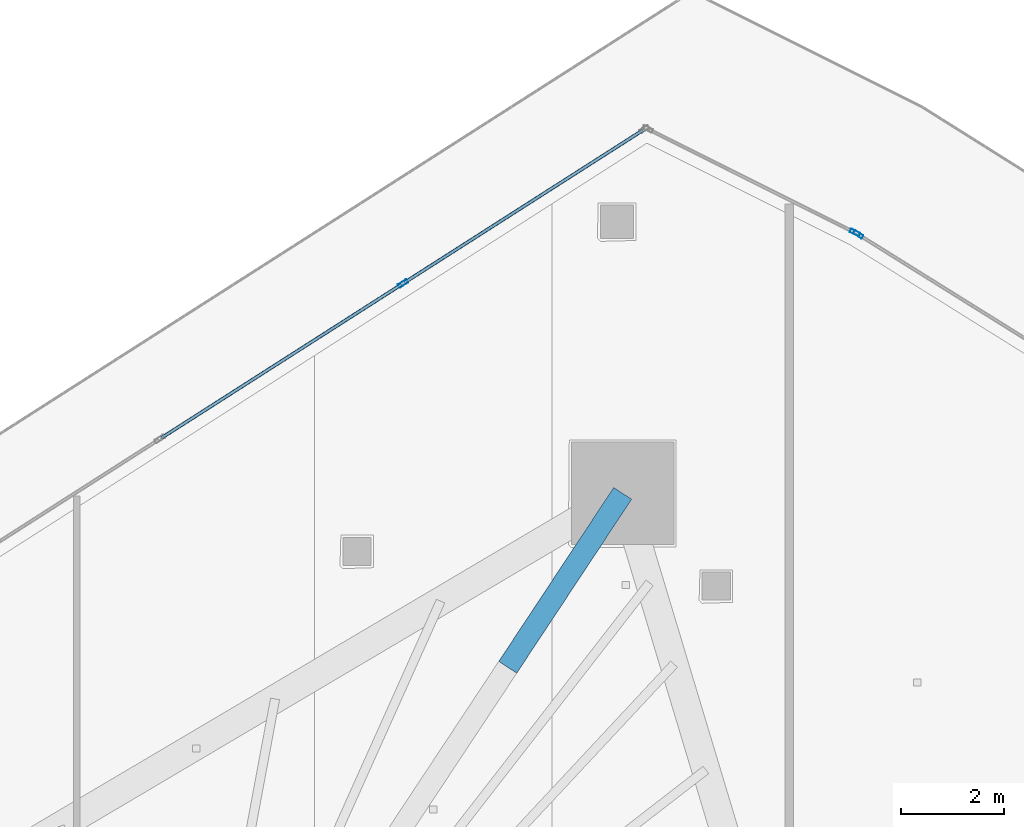
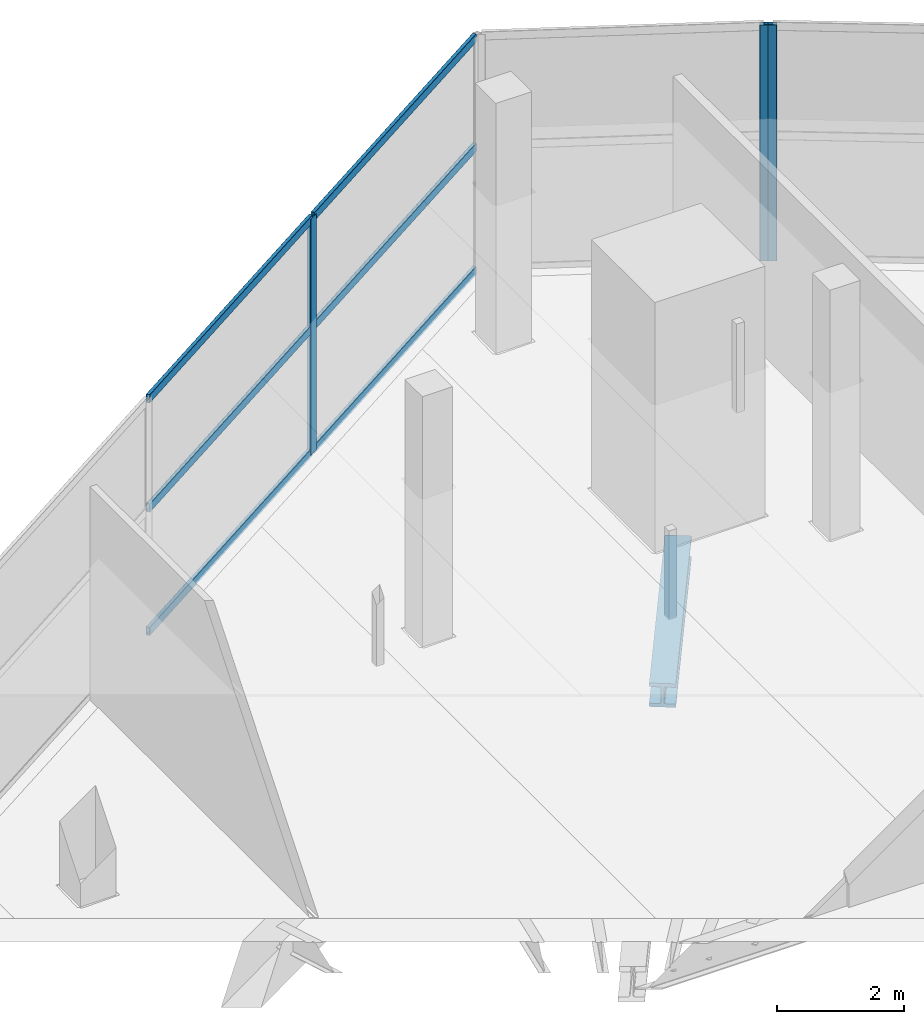
# One storey, part 20 of 36: 10 members, 3 elements without a shape of their own.
"""IFC4 building model written with IfcOpenShell, lengths in metres."""

from ifc_helpers import new_model, si_unit, direction, frame, origin, origin_2d, place, context, subcontext, project, spatial, hollow_rectangle, i_section, extrude, material, layer, layer_set, material_profile, profile_set, type_object, element, aggregate, save


model = new_model("IFC4")

# Units and contexts
model_context = context("Model", 3, precision=1e-05, world=origin(), true_north=direction((0.0, 1.0)))
body_context = subcontext(model_context, "Body", "Model", "MODEL_VIEW")
ifc_project = project(units=[si_unit("LENGTHUNIT", "METRE"), si_unit("AREAUNIT", "SQUARE_METRE"), si_unit("VOLUMEUNIT", "CUBIC_METRE"), si_unit("PLANEANGLEUNIT", "RADIAN"), si_unit("MASSUNIT", "GRAM", prefix="KILO")], contexts=[model_context])

# Site, building, storey
site_placement = place(None, origin())
site = spatial("IfcSite", under=ifc_project, at=site_placement, CompositionType="ELEMENT")
building_placement = place(site_placement, origin())
building = spatial("IfcBuilding", under=site, at=building_placement, Name="Qorvath Tower", CompositionType="ELEMENT")
storey_placement = place(building_placement, frame((0.0, 0.0, 180.0)))
storey = spatial("IfcBuildingStorey", under=building, at=storey_placement, Name="L41", CompositionType="ELEMENT", Elevation=180.0)

# Curtain wall, member
ifc_material_1 = material(Name="Anodised aluminium and triple low-E glass", Category="aluminium")
ifc_layer = layer(ifc_material_1, 0.179931640625)
ifc_layer_set = layer_set([ifc_layer], Name="CW-SYS-5")
curtain_wall_type = type_object("IfcCurtainWallType", Name="CW-SYS-5", PredefinedType="NOTDEFINED", material=ifc_layer_set)
curtain_wall_1_placement = place(storey_placement, origin())
curtain_wall_1 = element("IfcCurtainWall", 1, at=curtain_wall_1_placement, inside=storey, type_object=curtain_wall_type, Name="Curtain Wall CW-5 CW-T-L41-14.1", PredefinedType="NOTDEFINED")
ifc_material_2 = material(Name="Anodised aluminium 6063-T6", Category="aluminium")
ifc_material_profile_1 = material_profile(ifc_material_2, hollow_rectangle(XDim=0.074951171875, YDim=0.199951171875, WallThickness=0.00390625, InnerFilletRadius=0.00390625, OuterFilletRadius=0.008056640625, at=origin_2d()), Name="CWM 200x75")
ifc_profile_set_1 = profile_set([ifc_material_profile_1], Name="Anodised aluminium 6063-T6")
member_type_1 = type_object("IfcMemberType", Name="CWM-200", PredefinedType="MULLION", material=ifc_profile_set_1)
member_1_placement = place(storey_placement, frame((-12.2763671875, 26.679443359375, 0.0), z_axis=(0.0, 0.0, 1.0), x_axis=(-0.529309919685, -0.848428552633, 0.0)))
member_1 = element("IfcMember", 2, at=member_1_placement, type_object=member_type_1, Name="CW-5 mullion 3", PredefinedType="MULLION", context=body_context, shape_type="SweptSolid", body=[
    extrude(hollow_rectangle(XDim=0.074951171875, YDim=0.199951171875, WallThickness=0.00390625, InnerFilletRadius=0.00390625, OuterFilletRadius=0.008056640625, at=origin_2d()), origin(), (0.0, 0.0, 1.0), 4.530029296875),
])
aggregate(curtain_wall_1, [member_1])

curtain_wall_2_placement = place(storey_placement, origin())
curtain_wall_2 = element("IfcCurtainWall", 3, at=curtain_wall_2_placement, inside=storey, type_object=curtain_wall_type, Name="Curtain Wall CW-5 CW-T-L41-15.1", PredefinedType="NOTDEFINED")
member_2_placement = place(storey_placement, frame((-12.341552734375, 26.716064453125, 0.0), z_axis=(0.0, 0.0, 1.0), x_axis=(-0.447187465635, -0.894440255455, 0.0)))
member_2 = element("IfcMember", 4, at=member_2_placement, type_object=member_type_1, Name="CW-5 mullion 1", PredefinedType="MULLION", context=body_context, shape_type="SweptSolid", body=[
    extrude(hollow_rectangle(XDim=0.074951171875, YDim=0.199951171875, WallThickness=0.00390625, InnerFilletRadius=0.00390625, OuterFilletRadius=0.008056640625, at=origin_2d()), origin(), (0.0, 0.0, 1.0), 4.530029296875),
])
aggregate(curtain_wall_2, [member_2])

# Curtain wall, members
curtain_wall_3_placement = place(storey_placement, origin())
curtain_wall_3 = element("IfcCurtainWall", 5, at=curtain_wall_3_placement, inside=storey, type_object=curtain_wall_type, Name="Curtain Wall CW-5 CW-T-L41-16.1", PredefinedType="NOTDEFINED")
member_3_placement = place(storey_placement, frame((-21.1591796875, 25.72119140625, 0.0), z_axis=(0.0, 0.0, 1.0), x_axis=(0.538544146891, -0.842597295183, 0.0)))
member_3 = element("IfcMember", 6, at=member_3_placement, type_object=member_type_1, Name="CW-5 mullion 2", PredefinedType="MULLION", context=body_context, shape_type="SweptSolid", body=[
    extrude(hollow_rectangle(XDim=0.074951171875, YDim=0.199951171875, WallThickness=0.00390625, InnerFilletRadius=0.00390625, OuterFilletRadius=0.008056640625, at=origin_2d()), origin(), (0.0, 0.0, 1.0), 4.530029296875),
])
ifc_material_3 = material(Name="Anodised aluminium 6063-T6", Category="aluminium")
ifc_material_profile_2 = material_profile(ifc_material_3, hollow_rectangle(XDim=0.06494140625, YDim=0.159912109375, WallThickness=0.00341796875, InnerFilletRadius=0.00341796875, OuterFilletRadius=0.007080078125, at=origin_2d()), Name="CWT 160x65")
ifc_profile_set_2 = profile_set([ifc_material_profile_2], Name="Anodised aluminium 6063-T6")
member_type_2 = type_object("IfcMemberType", Name="CWT-160", PredefinedType="USERDEFINED", material=ifc_profile_set_2)
member_4_placement = place(storey_placement, frame((-16.47900390625, 28.71240234375, 0.032470703125), z_axis=(-0.842617614199, -0.538512354771, 0.0), x_axis=(0.538512354771, -0.842617614199, 0.0)))
member_4 = element("IfcMember", 7, at=member_4_placement, type_object=member_type_2, Name="CW-5 transom 1.1", ObjectType="TRANSOM", PredefinedType="USERDEFINED", context=body_context, shape_type="SweptSolid", body=[
    extrude(hollow_rectangle(XDim=0.06494140625, YDim=0.159912109375, WallThickness=0.00341796875, InnerFilletRadius=0.00341796875, OuterFilletRadius=0.007080078125, at=origin_2d()), origin(), (0.0, 0.0, 1.0), 5.516845703125),
])
member_5_placement = place(storey_placement, frame((-16.47900390625, 28.71240234375, 2.39990234375), z_axis=(-0.842617614199, -0.538512354771, 0.0), x_axis=(0.538512354771, -0.842617614199, 0.0)))
member_5 = element("IfcMember", 8, at=member_5_placement, type_object=member_type_2, Name="CW-5 transom 1.2", ObjectType="TRANSOM", PredefinedType="USERDEFINED", context=body_context, shape_type="SweptSolid", body=[
    extrude(hollow_rectangle(XDim=0.06494140625, YDim=0.159912109375, WallThickness=0.00341796875, InnerFilletRadius=0.00341796875, OuterFilletRadius=0.007080078125, at=origin_2d()), origin(), (0.0, 0.0, 1.0), 5.516845703125),
])
member_6_placement = place(storey_placement, frame((-16.47900390625, 28.71240234375, 4.49755859375), z_axis=(-0.842617614199, -0.538512354771, 0.0), x_axis=(0.538512354771, -0.842617614199, 0.0)))
member_6 = element("IfcMember", 9, at=member_6_placement, type_object=member_type_2, Name="CW-5 transom 1.3", ObjectType="TRANSOM", PredefinedType="USERDEFINED", context=body_context, shape_type="SweptSolid", body=[
    extrude(hollow_rectangle(XDim=0.06494140625, YDim=0.159912109375, WallThickness=0.00341796875, InnerFilletRadius=0.00341796875, OuterFilletRadius=0.007080078125, at=origin_2d()), origin(), (0.0, 0.0, 1.0), 5.516845703125),
])
member_7_placement = place(storey_placement, frame((-21.19091796875, 25.700927734375, 0.032470703125), z_axis=(-0.842606508806, -0.538529731137, 0.0), x_axis=(0.538529731137, -0.842606508806, 0.0)))
member_7 = element("IfcMember", 10, at=member_7_placement, type_object=member_type_2, Name="CW-5 transom 2.1", ObjectType="TRANSOM", PredefinedType="USERDEFINED", context=body_context, shape_type="SweptSolid", body=[
    extrude(hollow_rectangle(XDim=0.06494140625, YDim=0.159912109375, WallThickness=0.00341796875, InnerFilletRadius=0.00341796875, OuterFilletRadius=0.007080078125, at=origin_2d()), origin(), (0.0, 0.0, 1.0), 5.554443359375),
])
member_8_placement = place(storey_placement, frame((-21.19091796875, 25.700927734375, 2.39990234375), z_axis=(-0.842606508806, -0.538529731137, 0.0), x_axis=(0.538529731137, -0.842606508806, 0.0)))
member_8 = element("IfcMember", 11, at=member_8_placement, type_object=member_type_2, Name="CW-5 transom 2.2", ObjectType="TRANSOM", PredefinedType="USERDEFINED", context=body_context, shape_type="SweptSolid", body=[
    extrude(hollow_rectangle(XDim=0.06494140625, YDim=0.159912109375, WallThickness=0.00341796875, InnerFilletRadius=0.00341796875, OuterFilletRadius=0.007080078125, at=origin_2d()), origin(), (0.0, 0.0, 1.0), 5.554443359375),
])
member_9_placement = place(storey_placement, frame((-21.19091796875, 25.700927734375, 4.49755859375), z_axis=(-0.842606508806, -0.538529731137, 0.0), x_axis=(0.538529731137, -0.842606508806, 0.0)))
member_9 = element("IfcMember", 12, at=member_9_placement, type_object=member_type_2, Name="CW-5 transom 2.3", ObjectType="TRANSOM", PredefinedType="USERDEFINED", context=body_context, shape_type="SweptSolid", body=[
    extrude(hollow_rectangle(XDim=0.06494140625, YDim=0.159912109375, WallThickness=0.00341796875, InnerFilletRadius=0.00341796875, OuterFilletRadius=0.007080078125, at=origin_2d()), origin(), (0.0, 0.0, 1.0), 5.554443359375),
])
aggregate(curtain_wall_3, [member_3, member_4, member_5, member_6, member_7, member_8, member_9])

# Member
ifc_material_4 = material(Name="Steel ASTM A913 Grade 65", Category="steel")
ifc_material_profile_3 = material_profile(ifc_material_4, i_section(OverallWidth=0.4189453125, OverallDepth=0.455078125, WebThickness=0.0419921875, FlangeThickness=0.067626953125, FilletRadius=0.02490234375, at=origin_2d()), Name="W14x370")
ifc_profile_set_3 = profile_set([ifc_material_profile_3], Name="Steel ASTM A913 Grade 65")
member_type_3 = type_object("IfcMemberType", Name="MEM-OT2", PredefinedType="CHORD", material=ifc_profile_set_3)
member_10_placement = place(storey_placement, frame((-19.114501953125, 18.234619140625, -0.85009765625), z_axis=(0.551496030523, 0.834177516071, 0.0), x_axis=(-0.834177516071, 0.551496030523, 0.0)))
element("IfcMember", 13, at=member_10_placement, inside=storey, type_object=member_type_3, Name="Outrigger and Belt Truss Top Chord OB2-1.3", PredefinedType="CHORD", context=body_context, shape_type="SweptSolid", body=[
    extrude(i_section(OverallWidth=0.4189453125, OverallDepth=0.455078125, WebThickness=0.0419921875, FlangeThickness=0.067626953125, FilletRadius=0.02490234375, at=origin_2d()), origin(), (0.0, 0.0, 1.0), 4.06689453125),
])

save(model, "model.ifc")
